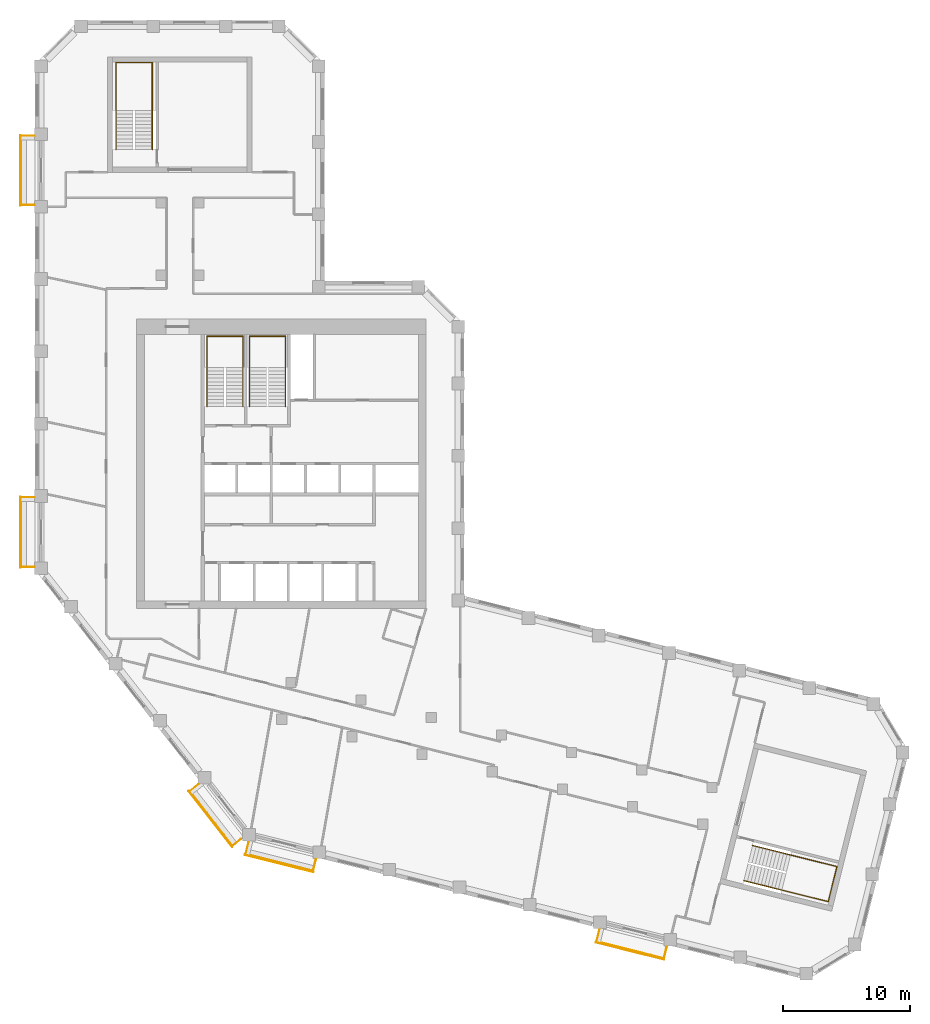
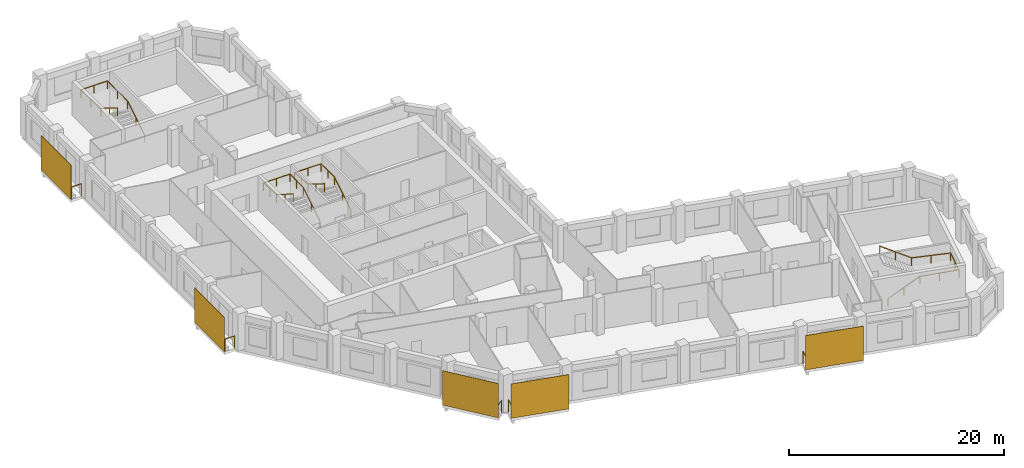
# One storey, part 9 of 9: 9 railings, 5 shading devices.
"""IFC4 building model written with IfcOpenShell, lengths in metres."""

from ifc_helpers import new_model, si_unit, direction, frame, origin, origin_2d, place, context, subcontext, project, spatial, rectangle, circle, extrude, material, layer, layer_set, type_object, element, save


model = new_model("IFC4")

# Units and contexts
model_context = context("Model", 3, precision=1e-05, world=origin(), true_north=direction((0.0, 1.0)))
body_context = subcontext(model_context, "Body", "Model", "MODEL_VIEW")
ifc_project = project(units=[si_unit("LENGTHUNIT", "METRE"), si_unit("AREAUNIT", "SQUARE_METRE"), si_unit("VOLUMEUNIT", "CUBIC_METRE"), si_unit("PLANEANGLEUNIT", "RADIAN"), si_unit("MASSUNIT", "GRAM", prefix="KILO")], contexts=[model_context])

# Site, building, storey
site_placement = place(None, origin())
site = spatial("IfcSite", under=ifc_project, at=site_placement, CompositionType="ELEMENT")
building_placement = place(site_placement, origin())
building = spatial("IfcBuilding", under=site, at=building_placement, Name="Meshkara Civic Tower", CompositionType="ELEMENT")
storey_placement = place(building_placement, frame((0.0, 0.0, 298.199951171875)))
storey = spatial("IfcBuildingStorey", under=building, at=storey_placement, Name="L68", CompositionType="ELEMENT", Elevation=298.199951171875)

# Railings
ifc_material_1 = material(Name="Steel S355", Category="steel")
railing_type_1 = type_object("IfcRailingType", Name="BALUSTRADE GUARD 1400", PredefinedType="BALUSTRADE", material=ifc_material_1)
for number, where, name in (
    (1, (-0.050048828125, 51.3349609375, 0.0), "Balcony guard"),
    (2, (-0.050048828125, 22.8349609375, 0.0), "Balcony guard"),
):
    element("IfcRailing", number, at=place(storey_placement, frame(where)), inside=storey, type_object=railing_type_1, Name=name, PredefinedType="BALUSTRADE", context=body_context, shape_type="SweptSolid", body=[
        extrude(circle(Radius=0.02392578125, at=origin_2d()), frame((0.0, 0.0, 1.3759765625), z_axis=(-1.0, 0.0, 0.0), x_axis=(0.0, -1.0, 0.0)), (0.0, 0.0, 1.0), 1.06005859375),
        extrude(circle(Radius=0.02392578125, at=origin_2d()), frame((-1.06005859375, 0.0, 1.3759765625), z_axis=(0.0, -1.0, 0.0), x_axis=(1.0, 0.0, 0.0)), (0.0, 0.0, 1.0), 5.4599609375),
        extrude(circle(Radius=0.02392578125, at=origin_2d()), frame((-1.06005859375, -5.4599609375, 1.3759765625), z_axis=(1.0, 0.0, 0.0), x_axis=(0.0, 1.0, 0.0)), (0.0, 0.0, 1.0), 1.06005859375),
        extrude(circle(Radius=0.02099609375, at=origin_2d()), origin(), (0.0, 0.0, 1.0), 1.351806640625),
        extrude(circle(Radius=0.02099609375, at=origin_2d()), frame((-1.06005859375, 0.0, 0.0)), (0.0, 0.0, 1.0), 1.351806640625),
        extrude(circle(Radius=0.02099609375, at=origin_2d()), frame((-1.06005859375, -1.092041015625, 0.0)), (0.0, 0.0, 1.0), 1.351806640625),
        extrude(circle(Radius=0.02099609375, at=origin_2d()), frame((-1.06005859375, -2.18408203125, 0.0)), (0.0, 0.0, 1.0), 1.351806640625),
        extrude(circle(Radius=0.02099609375, at=origin_2d()), frame((-1.06005859375, -3.27587890625, 0.0)), (0.0, 0.0, 1.0), 1.351806640625),
        extrude(circle(Radius=0.02099609375, at=origin_2d()), frame((-1.06005859375, -4.367919921875, 0.0)), (0.0, 0.0, 1.0), 1.351806640625),
        extrude(circle(Radius=0.02099609375, at=origin_2d()), frame((-1.06005859375, -5.4599609375, 0.0)), (0.0, 0.0, 1.0), 1.351806640625),
        extrude(circle(Radius=0.02099609375, at=origin_2d()), frame((0.0, -5.4599609375, 0.0)), (0.0, 0.0, 1.0), 1.351806640625),
    ])
railing_1_placement = place(storey_placement, frame((12.863037109375, 0.22705078125, 0.0)))
element("IfcRailing", 3, at=railing_1_placement, inside=storey, type_object=railing_type_1, Name="Balcony guard", PredefinedType="BALUSTRADE", context=body_context, shape_type="SweptSolid", body=[
    extrude(circle(Radius=0.02392578125, at=origin_2d()), frame((0.0, 0.0, 1.3759765625), z_axis=(-0.788494032236, -0.61504240596, 0.0), x_axis=(0.61504240596, -0.788494032236, 0.0)), (0.0, 0.0, 1.0), 0.858642578125),
    extrude(circle(Radius=0.02392578125, at=origin_2d()), frame((-0.677001953125, -0.528076171875, 1.3759765625), z_axis=(0.615684818606, -0.787992515281, 0.0), x_axis=(0.787992515281, 0.615684818606, 0.0)), (0.0, 0.0, 1.0), 5.460693359375),
    extrude(circle(Radius=0.02392578125, at=origin_2d()), frame((2.68505859375, -4.8310546875, 1.3759765625), z_axis=(0.787511002433, 0.616300593093, 0.0), x_axis=(-0.616300593093, 0.787511002433, 0.0)), (0.0, 0.0, 1.0), 0.8583984375),
    extrude(circle(Radius=0.02099609375, at=origin_2d()), origin(), (0.0, 0.0, 1.0), 1.351806640625),
    extrude(circle(Radius=0.02099609375, at=origin_2d()), frame((-0.677001953125, -0.528076171875, 0.0)), (0.0, 0.0, 1.0), 1.351806640625),
    extrude(circle(Radius=0.02099609375, at=origin_2d()), frame((-0.004638671875, -1.388671875, 0.0)), (0.0, 0.0, 1.0), 1.351806640625),
    extrude(circle(Radius=0.02099609375, at=origin_2d()), frame((0.667724609375, -2.249267578125, 0.0)), (0.0, 0.0, 1.0), 1.351806640625),
    extrude(circle(Radius=0.02099609375, at=origin_2d()), frame((1.34033203125, -3.10986328125, 0.0)), (0.0, 0.0, 1.0), 1.351806640625),
    extrude(circle(Radius=0.02099609375, at=origin_2d()), frame((2.0126953125, -3.970458984375, 0.0)), (0.0, 0.0, 1.0), 1.351806640625),
    extrude(circle(Radius=0.02099609375, at=origin_2d()), frame((2.68505859375, -4.8310546875, 0.0)), (0.0, 0.0, 1.0), 1.351806640625),
    extrude(circle(Radius=0.02099609375, at=origin_2d()), frame((3.361083984375, -4.302001953125, 0.0)), (0.0, 0.0, 1.0), 1.351806640625),
])
railing_2_placement = place(storey_placement, frame((16.821044921875, -4.35498046875, 0.0)))
element("IfcRailing", 4, at=railing_2_placement, inside=storey, type_object=railing_type_1, Name="Balcony guard", PredefinedType="BALUSTRADE", context=body_context, shape_type="SweptSolid", body=[
    extrude(circle(Radius=0.02392578125, at=origin_2d()), frame((0.0, 0.0, 1.3759765625), z_axis=(-0.241993877266, -0.970277776395, 0.0), x_axis=(0.970277776395, -0.241993877266, 0.0)), (0.0, 0.0, 1.0), 0.954345703125),
    extrude(circle(Radius=0.02392578125, at=origin_2d()), frame((-0.23095703125, -0.926025390625, 1.3759765625), z_axis=(0.9703315887, -0.241778013829, 0.0), x_axis=(0.241778013829, 0.9703315887, 0.0)), (0.0, 0.0, 1.0), 5.459716796875),
    extrude(circle(Radius=0.02392578125, at=origin_2d()), frame((5.06689453125, -2.24609375, 1.3759765625), z_axis=(0.242234364289, 0.970217765637, 0.0), x_axis=(-0.970217765637, 0.242234364289, 0.0)), (0.0, 0.0, 1.0), 0.953369140625),
    extrude(circle(Radius=0.02099609375, at=origin_2d()), origin(), (0.0, 0.0, 1.0), 1.351806640625),
    extrude(circle(Radius=0.02099609375, at=origin_2d()), frame((-0.23095703125, -0.926025390625, 0.0)), (0.0, 0.0, 1.0), 1.351806640625),
    extrude(circle(Radius=0.02099609375, at=origin_2d()), frame((0.82861328125, -1.18994140625, 0.0)), (0.0, 0.0, 1.0), 1.351806640625),
    extrude(circle(Radius=0.02099609375, at=origin_2d()), frame((1.88818359375, -1.4541015625, 0.0)), (0.0, 0.0, 1.0), 1.351806640625),
    extrude(circle(Radius=0.02099609375, at=origin_2d()), frame((2.94775390625, -1.718017578125, 0.0)), (0.0, 0.0, 1.0), 1.351806640625),
    extrude(circle(Radius=0.02099609375, at=origin_2d()), frame((4.00732421875, -1.982177734375, 0.0)), (0.0, 0.0, 1.0), 1.351806640625),
    extrude(circle(Radius=0.02099609375, at=origin_2d()), frame((5.06689453125, -2.24609375, 0.0)), (0.0, 0.0, 1.0), 1.351806640625),
    extrude(circle(Radius=0.02099609375, at=origin_2d()), frame((5.2978515625, -1.321044921875, 0.0)), (0.0, 0.0, 1.0), 1.351806640625),
])
railing_3_placement = place(storey_placement, frame((44.47412109375, -11.25, 0.0)))
element("IfcRailing", 5, at=railing_3_placement, inside=storey, type_object=railing_type_1, Name="Balcony guard", PredefinedType="BALUSTRADE", context=body_context, shape_type="SweptSolid", body=[
    extrude(circle(Radius=0.02392578125, at=origin_2d()), frame((0.0, 0.0, 1.3759765625), z_axis=(-0.242475378497, -0.970157559793, 0.0), x_axis=(0.970157559793, -0.242475378497, 0.0)), (0.0, 0.0, 1.0), 0.95361328125),
    extrude(circle(Radius=0.02392578125, at=origin_2d()), frame((-0.231201171875, -0.925048828125, 1.3759765625), z_axis=(0.970292231073, -0.24193591366, 0.0), x_axis=(0.24193591366, 0.970292231073, 0.0)), (0.0, 0.0, 1.0), 5.460205078125),
    extrude(circle(Radius=0.02392578125, at=origin_2d()), frame((5.06689453125, -2.24609375, 1.3759765625), z_axis=(0.242234364289, 0.970217765637, 0.0), x_axis=(-0.970217765637, 0.242234364289, 0.0)), (0.0, 0.0, 1.0), 0.953369140625),
    extrude(circle(Radius=0.02099609375, at=origin_2d()), origin(), (0.0, 0.0, 1.0), 1.351806640625),
    extrude(circle(Radius=0.02099609375, at=origin_2d()), frame((-0.231201171875, -0.925048828125, 0.0)), (0.0, 0.0, 1.0), 1.351806640625),
    extrude(circle(Radius=0.02099609375, at=origin_2d()), frame((0.828369140625, -1.189208984375, 0.0)), (0.0, 0.0, 1.0), 1.351806640625),
    extrude(circle(Radius=0.02099609375, at=origin_2d()), frame((1.887939453125, -1.453369140625, 0.0)), (0.0, 0.0, 1.0), 1.351806640625),
    extrude(circle(Radius=0.02099609375, at=origin_2d()), frame((2.94775390625, -1.7177734375, 0.0)), (0.0, 0.0, 1.0), 1.351806640625),
    extrude(circle(Radius=0.02099609375, at=origin_2d()), frame((4.00732421875, -1.98193359375, 0.0)), (0.0, 0.0, 1.0), 1.351806640625),
    extrude(circle(Radius=0.02099609375, at=origin_2d()), frame((5.06689453125, -2.24609375, 0.0)), (0.0, 0.0, 1.0), 1.351806640625),
    extrude(circle(Radius=0.02099609375, at=origin_2d()), frame((5.2978515625, -1.321044921875, 0.0)), (0.0, 0.0, 1.0), 1.351806640625),
])

# Shading devices
ifc_material_2 = material(Name="Perforated bronze anodised aluminium sheet", Category="aluminium")
ifc_layer = layer(ifc_material_2, 0.0400390625)
ifc_layer_set = layer_set([ifc_layer], Name="PERFORATED BRONZE SCREEN")
shading_device_type = type_object("IfcShadingDeviceType", Name="PERFORATED BRONZE SCREEN", PredefinedType="USERDEFINED", material=ifc_layer_set)
for number, where, z_axis, x_axis, name in (
    (6, (-1.179931640625, 48.60498046875, 0.0), (0.0, 0.0, 1.0), (0.0, -1.0, 0.0), "Balcony screen"),
    (7, (-1.179931640625, 20.10498046875, 0.0), (0.0, 0.0, 1.0), (0.0, -1.0, 0.0), "Balcony screen"),
    (8, (13.81201171875, -2.4951171875, 0.0), (0.0, 0.0, 1.0), (0.615661475326, -0.788010753607, 0.0), "Balcony screen"),
    (9, (19.221923828125, -6.009033203125, 0.0), (0.0, 0.0, 1.0), (0.970295726276, -0.2419218956, 0.0), "Balcony screen"),
    (10, (46.875, -12.904052734375, 0.0), (0.0, 0.0, 1.0), (0.970295726276, -0.2419218956, 0.0), "Balcony screen"),
):
    element("IfcShadingDevice", number, at=place(storey_placement, frame(where, z_axis=z_axis, x_axis=x_axis)), inside=storey, type_object=shading_device_type, Name=name, ObjectType="SCREEN", PredefinedType="USERDEFINED", context=body_context, shape_type="SweptSolid", body=[
        extrude(rectangle(XDim=5.580078125, YDim=0.0400390625, at=origin_2d()), origin(), (0.0, 0.0, 1.0), 3.89990234375),
    ])

# Railings
ifc_material_3 = material(Name="Steel handrail", Category="steel")
railing_type_2 = type_object("IfcRailingType", Name="Stair handrail 900", PredefinedType="HANDRAIL", material=ifc_material_3)
railing_4_placement = place(storey_placement, frame((16.375, 30.0, 0.175048828125)))
element("IfcRailing", 11, at=railing_4_placement, inside=storey, type_object=railing_type_2, Name="L68 ST1 stair handrail 1", PredefinedType="HANDRAIL", context=body_context, shape_type="SweptSolid", body=[
    extrude(circle(Radius=0.02392578125, at=origin_2d()), frame((0.0, 0.0, 0.8759765625), z_axis=(0.0, 0.847998304005, 0.529998940003), x_axis=(-1.0, 0.0, 0.0)), (0.0, 0.0, 1.0), 3.632080078125),
    extrude(circle(Radius=0.02392578125, at=origin_2d()), frame((0.0, 3.080078125, 2.80078125), z_axis=(0.0, 1.0, 0.0), x_axis=(-1.0, 0.0, 0.0)), (0.0, 0.0, 1.0), 2.469970703125),
    extrude(circle(Radius=0.02392578125, at=origin_2d()), frame((0.0, 5.550048828125, 2.80078125), z_axis=(-1.0, 0.0, 0.0), x_axis=(0.0, -1.0, 0.0)), (0.0, 0.0, 1.0), 2.85009765625),
    extrude(circle(Radius=0.02392578125, at=origin_2d()), frame((-2.85009765625, 5.550048828125, 2.80078125), z_axis=(0.0, -0.997498084828, 0.070693498747), x_axis=(1.0, 0.0, 0.0)), (0.0, 0.0, 1.0), 2.47607421875),
    extrude(circle(Radius=0.02392578125, at=origin_2d()), frame((-2.85009765625, 3.080078125, 2.97607421875), z_axis=(0.0, -0.848028513186, 0.529950602248), x_axis=(1.0, 0.0, 0.0)), (0.0, 0.0, 1.0), 3.632080078125),
    extrude(circle(Radius=0.02099609375, at=origin_2d()), origin(), (0.0, 0.0, 1.0), 0.851806640625),
    extrude(circle(Radius=0.02099609375, at=origin_2d()), frame((0.0, 1.5400390625, 0.96240234375)), (0.0, 0.0, 1.0), 0.851806640625),
    extrude(circle(Radius=0.02099609375, at=origin_2d()), frame((0.0, 3.080078125, 1.925048828125)), (0.0, 0.0, 1.0), 0.851806640625),
    extrude(circle(Radius=0.02099609375, at=origin_2d()), frame((0.0, 4.31494140625, 1.925048828125)), (0.0, 0.0, 1.0), 0.851806640625),
    extrude(circle(Radius=0.02099609375, at=origin_2d()), frame((0.0, 5.550048828125, 1.925048828125)), (0.0, 0.0, 1.0), 0.851806640625),
    extrude(circle(Radius=0.02099609375, at=origin_2d()), frame((-1.425048828125, 5.550048828125, 1.925048828125)), (0.0, 0.0, 1.0), 0.851806640625),
    extrude(circle(Radius=0.02099609375, at=origin_2d()), frame((-2.85009765625, 5.550048828125, 1.925048828125)), (0.0, 0.0, 1.0), 0.851806640625),
    extrude(circle(Radius=0.02099609375, at=origin_2d()), frame((-2.85009765625, 4.31494140625, 2.0126953125)), (0.0, 0.0, 1.0), 0.851806640625),
    extrude(circle(Radius=0.02099609375, at=origin_2d()), frame((-2.85009765625, 3.080078125, 2.10009765625)), (0.0, 0.0, 1.0), 0.851806640625),
    extrude(circle(Radius=0.02099609375, at=origin_2d()), frame((-2.85009765625, 1.5400390625, 3.0625)), (0.0, 0.0, 1.0), 0.851806640625),
    extrude(circle(Radius=0.02099609375, at=origin_2d()), frame((-2.85009765625, 0.0, 4.02490234375)), (0.0, 0.0, 1.0), 0.851806640625),
])
railing_5_placement = place(storey_placement, frame((19.72509765625, 30.0, 0.175048828125)))
element("IfcRailing", 12, at=railing_5_placement, inside=storey, type_object=railing_type_2, Name="L68 ST2 stair handrail 1", PredefinedType="HANDRAIL", context=body_context, shape_type="SweptSolid", body=[
    extrude(circle(Radius=0.02392578125, at=origin_2d()), frame((0.0, 0.0, 0.8759765625), z_axis=(0.0, 0.847998304005, 0.529998940003), x_axis=(-1.0, 0.0, 0.0)), (0.0, 0.0, 1.0), 3.632080078125),
    extrude(circle(Radius=0.02392578125, at=origin_2d()), frame((0.0, 3.080078125, 2.80078125), z_axis=(0.0, 1.0, 0.0), x_axis=(-1.0, 0.0, 0.0)), (0.0, 0.0, 1.0), 2.469970703125),
    extrude(circle(Radius=0.02392578125, at=origin_2d()), frame((0.0, 5.550048828125, 2.80078125), z_axis=(-1.0, 0.0, 0.0), x_axis=(0.0, -1.0, 0.0)), (0.0, 0.0, 1.0), 2.85009765625),
    extrude(circle(Radius=0.02392578125, at=origin_2d()), frame((-2.85009765625, 5.550048828125, 2.80078125), z_axis=(0.0, -0.997498084828, 0.070693498747), x_axis=(1.0, 0.0, 0.0)), (0.0, 0.0, 1.0), 2.47607421875),
    extrude(circle(Radius=0.02392578125, at=origin_2d()), frame((-2.85009765625, 3.080078125, 2.97607421875), z_axis=(0.0, -0.848028513186, 0.529950602248), x_axis=(1.0, 0.0, 0.0)), (0.0, 0.0, 1.0), 3.632080078125),
    extrude(circle(Radius=0.02099609375, at=origin_2d()), origin(), (0.0, 0.0, 1.0), 0.851806640625),
    extrude(circle(Radius=0.02099609375, at=origin_2d()), frame((0.0, 1.5400390625, 0.96240234375)), (0.0, 0.0, 1.0), 0.851806640625),
    extrude(circle(Radius=0.02099609375, at=origin_2d()), frame((0.0, 3.080078125, 1.925048828125)), (0.0, 0.0, 1.0), 0.851806640625),
    extrude(circle(Radius=0.02099609375, at=origin_2d()), frame((0.0, 4.31494140625, 1.925048828125)), (0.0, 0.0, 1.0), 0.851806640625),
    extrude(circle(Radius=0.02099609375, at=origin_2d()), frame((0.0, 5.550048828125, 1.925048828125)), (0.0, 0.0, 1.0), 0.851806640625),
    extrude(circle(Radius=0.02099609375, at=origin_2d()), frame((-1.425048828125, 5.550048828125, 1.925048828125)), (0.0, 0.0, 1.0), 0.851806640625),
    extrude(circle(Radius=0.02099609375, at=origin_2d()), frame((-2.85009765625, 5.550048828125, 1.925048828125)), (0.0, 0.0, 1.0), 0.851806640625),
    extrude(circle(Radius=0.02099609375, at=origin_2d()), frame((-2.85009765625, 4.31494140625, 2.0126953125)), (0.0, 0.0, 1.0), 0.851806640625),
    extrude(circle(Radius=0.02099609375, at=origin_2d()), frame((-2.85009765625, 3.080078125, 2.10009765625)), (0.0, 0.0, 1.0), 0.851806640625),
    extrude(circle(Radius=0.02099609375, at=origin_2d()), frame((-2.85009765625, 1.5400390625, 3.0625)), (0.0, 0.0, 1.0), 0.851806640625),
    extrude(circle(Radius=0.02099609375, at=origin_2d()), frame((-2.85009765625, 0.0, 4.02490234375)), (0.0, 0.0, 1.0), 0.851806640625),
])
railing_6_placement = place(storey_placement, frame((9.22509765625, 50.27001953125, 0.175048828125)))
element("IfcRailing", 13, at=railing_6_placement, inside=storey, type_object=railing_type_2, Name="L68 ESA5 stair handrail 1", PredefinedType="HANDRAIL", context=body_context, shape_type="SweptSolid", body=[
    extrude(circle(Radius=0.02392578125, at=origin_2d()), frame((0.0, 0.0, 0.8759765625), z_axis=(0.0, 0.847998304005, 0.529998940003), x_axis=(-1.0, 0.0, 0.0)), (0.0, 0.0, 1.0), 3.632080078125),
    extrude(circle(Radius=0.02392578125, at=origin_2d()), frame((0.0, 3.080078125, 2.80078125), z_axis=(0.0, 1.0, 0.0), x_axis=(-1.0, 0.0, 0.0)), (0.0, 0.0, 1.0), 3.77001953125),
    extrude(circle(Radius=0.02392578125, at=origin_2d()), frame((0.0, 6.85009765625, 2.80078125), z_axis=(-1.0, 0.0, 0.0), x_axis=(0.0, -1.0, 0.0)), (0.0, 0.0, 1.0), 2.85009765625),
    extrude(circle(Radius=0.02392578125, at=origin_2d()), frame((-2.85009765625, 6.85009765625, 2.80078125), z_axis=(0.0, -0.9989237834, 0.046381838667), x_axis=(1.0, 0.0, 0.0)), (0.0, 0.0, 1.0), 3.774169921875),
    extrude(circle(Radius=0.02392578125, at=origin_2d()), frame((-2.85009765625, 3.080078125, 2.97607421875), z_axis=(0.0, -0.848028513186, 0.529950602248), x_axis=(1.0, 0.0, 0.0)), (0.0, 0.0, 1.0), 3.632080078125),
    extrude(circle(Radius=0.02099609375, at=origin_2d()), origin(), (0.0, 0.0, 1.0), 0.851806640625),
    extrude(circle(Radius=0.02099609375, at=origin_2d()), frame((0.0, 1.5400390625, 0.96240234375)), (0.0, 0.0, 1.0), 0.851806640625),
    extrude(circle(Radius=0.02099609375, at=origin_2d()), frame((0.0, 3.080078125, 1.925048828125)), (0.0, 0.0, 1.0), 0.851806640625),
    extrude(circle(Radius=0.02099609375, at=origin_2d()), frame((0.0, 4.965087890625, 1.925048828125)), (0.0, 0.0, 1.0), 0.851806640625),
    extrude(circle(Radius=0.02099609375, at=origin_2d()), frame((0.0, 6.85009765625, 1.925048828125)), (0.0, 0.0, 1.0), 0.851806640625),
    extrude(circle(Radius=0.02099609375, at=origin_2d()), frame((-1.425048828125, 6.85009765625, 1.925048828125)), (0.0, 0.0, 1.0), 0.851806640625),
    extrude(circle(Radius=0.02099609375, at=origin_2d()), frame((-2.85009765625, 6.85009765625, 1.925048828125)), (0.0, 0.0, 1.0), 0.851806640625),
    extrude(circle(Radius=0.02099609375, at=origin_2d()), frame((-2.85009765625, 4.965087890625, 2.0126953125)), (0.0, 0.0, 1.0), 0.851806640625),
    extrude(circle(Radius=0.02099609375, at=origin_2d()), frame((-2.85009765625, 3.080078125, 2.10009765625)), (0.0, 0.0, 1.0), 0.851806640625),
    extrude(circle(Radius=0.02099609375, at=origin_2d()), frame((-2.85009765625, 1.5400390625, 3.0625)), (0.0, 0.0, 1.0), 0.851806640625),
    extrude(circle(Radius=0.02099609375, at=origin_2d()), frame((-2.85009765625, 0.0, 4.02490234375)), (0.0, 0.0, 1.0), 0.851806640625),
])
railing_7_placement = place(storey_placement, frame((55.849365234375, -7.3544921875, 0.175048828125)))
element("IfcRailing", 14, at=railing_7_placement, inside=storey, type_object=railing_type_2, Name="L68 ESB5 stair handrail 1", PredefinedType="HANDRAIL", context=body_context, shape_type="SweptSolid", body=[
    extrude(circle(Radius=0.02392578125, at=origin_2d()), frame((0.0, 0.0, 0.8759765625), z_axis=(0.822781968105, -0.205275396666, 0.529992306062), x_axis=(0.242069343812, 0.970258951408, 0.0)), (0.0, 0.0, 1.0), 3.63232421875),
    extrude(circle(Radius=0.02392578125, at=origin_2d()), frame((2.988525390625, -0.74560546875, 2.80078125), z_axis=(0.970256677427, -0.242078458165, 0.0), x_axis=(0.242078458165, 0.970256677427, 0.0)), (0.0, 0.0, 1.0), 3.769775390625),
    extrude(circle(Radius=0.02392578125, at=origin_2d()), frame((6.646240234375, -1.658203125, 2.80078125), z_axis=(0.242072031574, 0.970258280835, 0.0), x_axis=(-0.970258280835, 0.242072031574, 0.0)), (0.0, 0.0, 1.0), 2.85009765625),
    extrude(circle(Radius=0.02392578125, at=origin_2d()), frame((7.336181640625, 1.107177734375, 2.80078125), z_axis=(-0.969216294885, 0.241802743795, 0.046381104147), x_axis=(-0.242063248025, -0.970260472221, 0.0)), (0.0, 0.0, 1.0), 3.774169921875),
    extrude(circle(Radius=0.02392578125, at=origin_2d()), frame((3.67822265625, 2.019775390625, 2.97607421875), z_axis=(-0.822800919371, 0.205229673761, 0.529980592183), x_axis=(-0.242013336109, -0.97027292302, 0.0)), (0.0, 0.0, 1.0), 3.6318359375),
    extrude(circle(Radius=0.02099609375, at=origin_2d()), origin(), (0.0, 0.0, 1.0), 0.851806640625),
    extrude(circle(Radius=0.02099609375, at=origin_2d()), frame((1.494140625, -0.372802734375, 0.96240234375)), (0.0, 0.0, 1.0), 0.851806640625),
    extrude(circle(Radius=0.02099609375, at=origin_2d()), frame((2.988525390625, -0.74560546875, 1.925048828125)), (0.0, 0.0, 1.0), 0.851806640625),
    extrude(circle(Radius=0.02099609375, at=origin_2d()), frame((4.8173828125, -1.201904296875, 1.925048828125)), (0.0, 0.0, 1.0), 0.851806640625),
    extrude(circle(Radius=0.02099609375, at=origin_2d()), frame((6.646240234375, -1.658203125, 1.925048828125)), (0.0, 0.0, 1.0), 0.851806640625),
    extrude(circle(Radius=0.02099609375, at=origin_2d()), frame((6.9912109375, -0.275390625, 1.925048828125)), (0.0, 0.0, 1.0), 0.851806640625),
    extrude(circle(Radius=0.02099609375, at=origin_2d()), frame((7.336181640625, 1.107177734375, 1.925048828125)), (0.0, 0.0, 1.0), 0.851806640625),
    extrude(circle(Radius=0.02099609375, at=origin_2d()), frame((5.50732421875, 1.5634765625, 2.0126953125)), (0.0, 0.0, 1.0), 0.851806640625),
    extrude(circle(Radius=0.02099609375, at=origin_2d()), frame((3.67822265625, 2.019775390625, 2.10009765625)), (0.0, 0.0, 1.0), 0.851806640625),
    extrude(circle(Radius=0.02099609375, at=origin_2d()), frame((2.18408203125, 2.392578125, 3.0625)), (0.0, 0.0, 1.0), 0.851806640625),
    extrude(circle(Radius=0.02099609375, at=origin_2d()), frame((0.68994140625, 2.76513671875, 4.02490234375)), (0.0, 0.0, 1.0), 0.851806640625),
])

save(model, "model.ifc")
